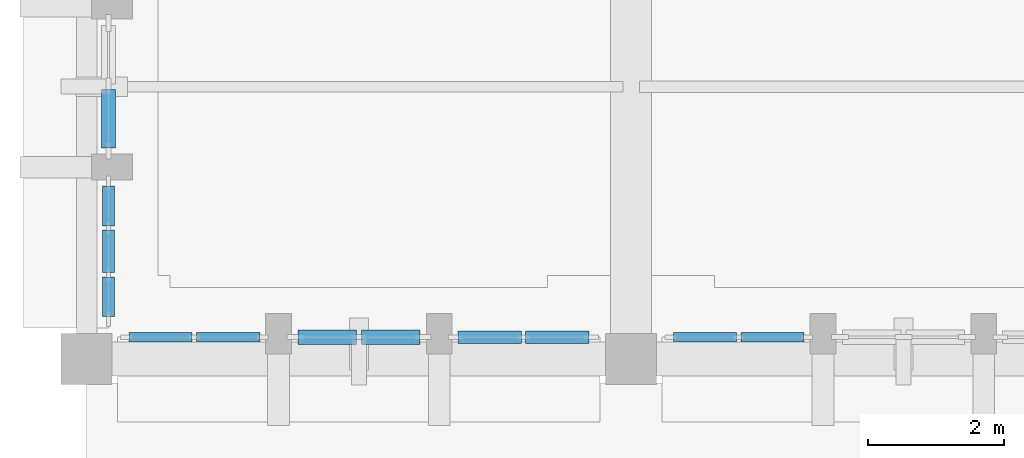
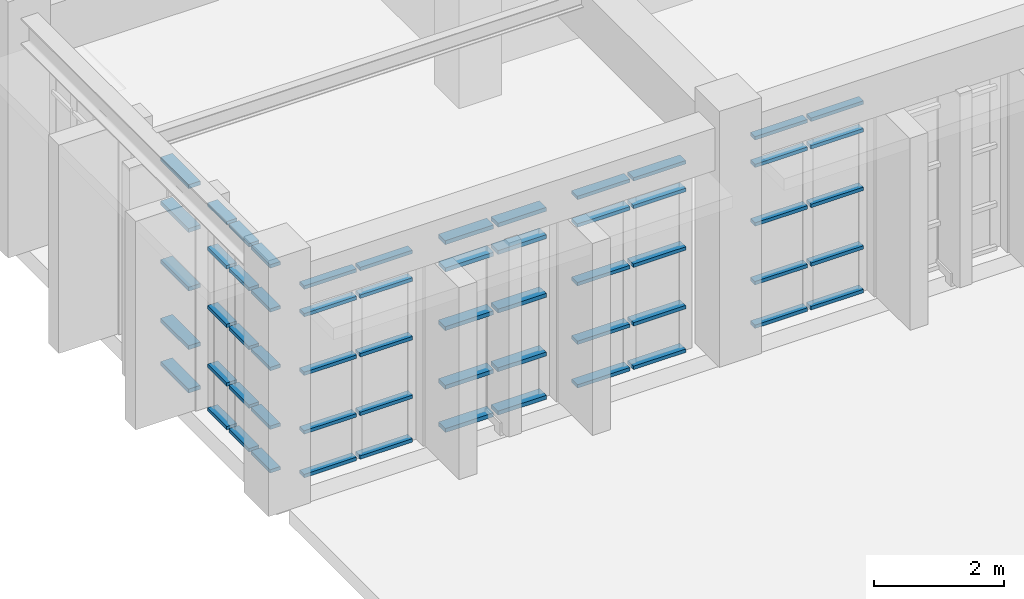
# One storey, part 46 of 155: 60 members, 6 elements without a shape of their own.
"""IFC4 building model written with IfcOpenShell, lengths in metres."""

from ifc_helpers import new_model, si_unit, direction, frame, origin, origin_2d, place, context, subcontext, project, spatial, rectangle, extrude, material, layer, layer_set, material_profile, profile_set, type_object, element, aggregate, save


model = new_model("IFC4")

# Units and contexts
model_context = context("Model", 3, precision=1e-05, world=origin(), true_north=direction((0.0, 1.0)))
body_context = subcontext(model_context, "Body", "Model", "MODEL_VIEW")
ifc_project = project(units=[si_unit("LENGTHUNIT", "METRE"), si_unit("AREAUNIT", "SQUARE_METRE"), si_unit("VOLUMEUNIT", "CUBIC_METRE"), si_unit("PLANEANGLEUNIT", "RADIAN"), si_unit("MASSUNIT", "GRAM", prefix="KILO")], contexts=[model_context])

# Site, building, storey
site_placement = place(None, origin())
site = spatial("IfcSite", under=ifc_project, at=site_placement, CompositionType="ELEMENT")
building_placement = place(site_placement, origin())
building = spatial("IfcBuilding", under=site, at=building_placement, Name="Tazarka Park Arena", CompositionType="ELEMENT")
storey_placement = place(building_placement, frame((0.0, 0.0, 5.39990234375)))
storey = spatial("IfcBuildingStorey", under=building, at=storey_placement, Name="L01", CompositionType="ELEMENT", Elevation=5.39990234375)

# Curtain wall, members
ifc_material_1 = material(Name="Aluminium and low-e glass", Category="aluminium")
ifc_layer_1 = layer(ifc_material_1, 0.179931640625, Name="Aluminium and low-e glass")
ifc_layer_set_1 = layer_set([ifc_layer_1], Name="Aluminium and low-e glass")
curtain_wall_type_1 = type_object("IfcCurtainWallType", Name="CW-12", PredefinedType="NOTDEFINED", material=ifc_layer_set_1)
curtain_wall_1_placement = place(storey_placement, origin())
curtain_wall_1 = element("IfcCurtainWall", 1, at=curtain_wall_1_placement, inside=storey, type_object=curtain_wall_type_1, Name="Curtain Wall CWA-L01-072", PredefinedType="NOTDEFINED")
ifc_material_2 = material(Name="Aluminium 6060-T66", Category="aluminium")
ifc_material_profile_1 = material_profile(ifc_material_2, rectangle(XDim=0.139892578125, YDim=0.06494140625, at=origin_2d()), Name="Aluminium 6060-T66")
ifc_profile_set_1 = profile_set([ifc_material_profile_1], Name="Aluminium 6060-T66")
member_type_1 = type_object("IfcMemberType", Name="CWT-01", PredefinedType="USERDEFINED", material=ifc_profile_set_1)
member_1_placement = place(storey_placement, frame((2.543212890625, 8.320068359375, 0.03271484375), z_axis=(-1.0, 0.0, 0.0), x_axis=(0.0, -1.0, 0.0)))
member_1 = element("IfcMember", 2, at=member_1_placement, type_object=member_type_1, Name="CW-12 transom 1.1", ObjectType="TRANSOM", PredefinedType="USERDEFINED", context=body_context, shape_type="SweptSolid", body=[
    extrude(rectangle(XDim=0.139892578125, YDim=0.06494140625, at=origin_2d()), origin(), (0.0, 0.0, 1.0), 0.928955078125),
])
member_2_placement = place(storey_placement, frame((2.543212890625, 8.320068359375, 0.85009765625), z_axis=(-1.0, 0.0, 0.0), x_axis=(0.0, -1.0, 0.0)))
member_2 = element("IfcMember", 3, at=member_2_placement, type_object=member_type_1, Name="CW-12 transom 1.2", ObjectType="TRANSOM", PredefinedType="USERDEFINED", context=body_context, shape_type="SweptSolid", body=[
    extrude(rectangle(XDim=0.139892578125, YDim=0.06494140625, at=origin_2d()), origin(), (0.0, 0.0, 1.0), 0.928955078125),
])
member_3_placement = place(storey_placement, frame((2.543212890625, 8.320068359375, 1.9501953125), z_axis=(-1.0, 0.0, 0.0), x_axis=(0.0, -1.0, 0.0)))
member_3 = element("IfcMember", 4, at=member_3_placement, type_object=member_type_1, Name="CW-12 transom 1.3", ObjectType="TRANSOM", PredefinedType="USERDEFINED", context=body_context, shape_type="SweptSolid", body=[
    extrude(rectangle(XDim=0.139892578125, YDim=0.06494140625, at=origin_2d()), origin(), (0.0, 0.0, 1.0), 0.928955078125),
])
member_4_placement = place(storey_placement, frame((2.543212890625, 8.320068359375, 3.050048828125), z_axis=(-1.0, 0.0, 0.0), x_axis=(0.0, -1.0, 0.0)))
member_4 = element("IfcMember", 5, at=member_4_placement, type_object=member_type_1, Name="CW-12 transom 1.4", ObjectType="TRANSOM", PredefinedType="USERDEFINED", context=body_context, shape_type="SweptSolid", body=[
    extrude(rectangle(XDim=0.139892578125, YDim=0.06494140625, at=origin_2d()), origin(), (0.0, 0.0, 1.0), 0.928955078125),
])
member_5_placement = place(storey_placement, frame((2.543212890625, 8.320068359375, 3.567626953125), z_axis=(-1.0, 0.0, 0.0), x_axis=(0.0, -1.0, 0.0)))
member_5 = element("IfcMember", 6, at=member_5_placement, type_object=member_type_1, Name="CW-12 transom 1.5", ObjectType="TRANSOM", PredefinedType="USERDEFINED", context=body_context, shape_type="SweptSolid", body=[
    extrude(rectangle(XDim=0.139892578125, YDim=0.06494140625, at=origin_2d()), origin(), (0.0, 0.0, 1.0), 0.928955078125),
])
member_6_placement = place(storey_placement, frame((1.549072265625, 8.320068359375, 0.03271484375), z_axis=(-1.0, 0.0, 0.0), x_axis=(0.0, -1.0, 0.0)))
member_6 = element("IfcMember", 7, at=member_6_placement, type_object=member_type_1, Name="CW-12 transom 2.1", ObjectType="TRANSOM", PredefinedType="USERDEFINED", context=body_context, shape_type="SweptSolid", body=[
    extrude(rectangle(XDim=0.139892578125, YDim=0.06494140625, at=origin_2d()), origin(), (0.0, 0.0, 1.0), 0.928955078125),
])
member_7_placement = place(storey_placement, frame((1.549072265625, 8.320068359375, 0.85009765625), z_axis=(-1.0, 0.0, 0.0), x_axis=(0.0, -1.0, 0.0)))
member_7 = element("IfcMember", 8, at=member_7_placement, type_object=member_type_1, Name="CW-12 transom 2.2", ObjectType="TRANSOM", PredefinedType="USERDEFINED", context=body_context, shape_type="SweptSolid", body=[
    extrude(rectangle(XDim=0.139892578125, YDim=0.06494140625, at=origin_2d()), origin(), (0.0, 0.0, 1.0), 0.928955078125),
])
member_8_placement = place(storey_placement, frame((1.549072265625, 8.320068359375, 1.9501953125), z_axis=(-1.0, 0.0, 0.0), x_axis=(0.0, -1.0, 0.0)))
member_8 = element("IfcMember", 9, at=member_8_placement, type_object=member_type_1, Name="CW-12 transom 2.3", ObjectType="TRANSOM", PredefinedType="USERDEFINED", context=body_context, shape_type="SweptSolid", body=[
    extrude(rectangle(XDim=0.139892578125, YDim=0.06494140625, at=origin_2d()), origin(), (0.0, 0.0, 1.0), 0.928955078125),
])
member_9_placement = place(storey_placement, frame((1.549072265625, 8.320068359375, 3.050048828125), z_axis=(-1.0, 0.0, 0.0), x_axis=(0.0, -1.0, 0.0)))
member_9 = element("IfcMember", 10, at=member_9_placement, type_object=member_type_1, Name="CW-12 transom 2.4", ObjectType="TRANSOM", PredefinedType="USERDEFINED", context=body_context, shape_type="SweptSolid", body=[
    extrude(rectangle(XDim=0.139892578125, YDim=0.06494140625, at=origin_2d()), origin(), (0.0, 0.0, 1.0), 0.928955078125),
])
member_10_placement = place(storey_placement, frame((1.549072265625, 8.320068359375, 3.567626953125), z_axis=(-1.0, 0.0, 0.0), x_axis=(0.0, -1.0, 0.0)))
member_10 = element("IfcMember", 11, at=member_10_placement, type_object=member_type_1, Name="CW-12 transom 2.5", ObjectType="TRANSOM", PredefinedType="USERDEFINED", context=body_context, shape_type="SweptSolid", body=[
    extrude(rectangle(XDim=0.139892578125, YDim=0.06494140625, at=origin_2d()), origin(), (0.0, 0.0, 1.0), 0.928955078125),
])
aggregate(curtain_wall_1, [member_1, member_2, member_3, member_4, member_5, member_6, member_7, member_8, member_9, member_10])

ifc_material_3 = material(Name="Aluminium and low-e glass", Category="aluminium")
ifc_layer_2 = layer(ifc_material_3, 0.179931640625, Name="Aluminium and low-e glass")
ifc_layer_set_2 = layer_set([ifc_layer_2], Name="Aluminium and low-e glass")
curtain_wall_type_2 = type_object("IfcCurtainWallType", Name="CW-15", PredefinedType="NOTDEFINED", material=ifc_layer_set_2)
curtain_wall_2_placement = place(storey_placement, origin())
curtain_wall_2 = element("IfcCurtainWall", 12, at=curtain_wall_2_placement, inside=storey, type_object=curtain_wall_type_2, Name="Curtain Wall CWA-L01-075", PredefinedType="NOTDEFINED")
member_11_placement = place(storey_placement, frame((10.543212890625, 8.320068359375, 0.03271484375), z_axis=(-1.0, 0.0, 0.0), x_axis=(0.0, -1.0, 0.0)))
member_11 = element("IfcMember", 13, at=member_11_placement, type_object=member_type_1, Name="CW-15 transom 1.1", ObjectType="TRANSOM", PredefinedType="USERDEFINED", context=body_context, shape_type="SweptSolid", body=[
    extrude(rectangle(XDim=0.139892578125, YDim=0.06494140625, at=origin_2d()), origin(), (0.0, 0.0, 1.0), 0.928955078125),
])
member_12_placement = place(storey_placement, frame((10.543212890625, 8.320068359375, 0.85009765625), z_axis=(-1.0, 0.0, 0.0), x_axis=(0.0, -1.0, 0.0)))
member_12 = element("IfcMember", 14, at=member_12_placement, type_object=member_type_1, Name="CW-15 transom 1.2", ObjectType="TRANSOM", PredefinedType="USERDEFINED", context=body_context, shape_type="SweptSolid", body=[
    extrude(rectangle(XDim=0.139892578125, YDim=0.06494140625, at=origin_2d()), origin(), (0.0, 0.0, 1.0), 0.928955078125),
])
member_13_placement = place(storey_placement, frame((10.543212890625, 8.320068359375, 1.9501953125), z_axis=(-1.0, 0.0, 0.0), x_axis=(0.0, -1.0, 0.0)))
member_13 = element("IfcMember", 15, at=member_13_placement, type_object=member_type_1, Name="CW-15 transom 1.3", ObjectType="TRANSOM", PredefinedType="USERDEFINED", context=body_context, shape_type="SweptSolid", body=[
    extrude(rectangle(XDim=0.139892578125, YDim=0.06494140625, at=origin_2d()), origin(), (0.0, 0.0, 1.0), 0.928955078125),
])
member_14_placement = place(storey_placement, frame((10.543212890625, 8.320068359375, 3.050048828125), z_axis=(-1.0, 0.0, 0.0), x_axis=(0.0, -1.0, 0.0)))
member_14 = element("IfcMember", 16, at=member_14_placement, type_object=member_type_1, Name="CW-15 transom 1.4", ObjectType="TRANSOM", PredefinedType="USERDEFINED", context=body_context, shape_type="SweptSolid", body=[
    extrude(rectangle(XDim=0.139892578125, YDim=0.06494140625, at=origin_2d()), origin(), (0.0, 0.0, 1.0), 0.928955078125),
])
member_15_placement = place(storey_placement, frame((10.543212890625, 8.320068359375, 3.567626953125), z_axis=(-1.0, 0.0, 0.0), x_axis=(0.0, -1.0, 0.0)))
member_15 = element("IfcMember", 17, at=member_15_placement, type_object=member_type_1, Name="CW-15 transom 1.5", ObjectType="TRANSOM", PredefinedType="USERDEFINED", context=body_context, shape_type="SweptSolid", body=[
    extrude(rectangle(XDim=0.139892578125, YDim=0.06494140625, at=origin_2d()), origin(), (0.0, 0.0, 1.0), 0.928955078125),
])
member_16_placement = place(storey_placement, frame((9.549072265625, 8.320068359375, 0.03271484375), z_axis=(-1.0, 0.0, 0.0), x_axis=(0.0, -1.0, 0.0)))
member_16 = element("IfcMember", 18, at=member_16_placement, type_object=member_type_1, Name="CW-15 transom 2.1", ObjectType="TRANSOM", PredefinedType="USERDEFINED", context=body_context, shape_type="SweptSolid", body=[
    extrude(rectangle(XDim=0.139892578125, YDim=0.06494140625, at=origin_2d()), origin(), (0.0, 0.0, 1.0), 0.928955078125),
])
member_17_placement = place(storey_placement, frame((9.549072265625, 8.320068359375, 0.85009765625), z_axis=(-1.0, 0.0, 0.0), x_axis=(0.0, -1.0, 0.0)))
member_17 = element("IfcMember", 19, at=member_17_placement, type_object=member_type_1, Name="CW-15 transom 2.2", ObjectType="TRANSOM", PredefinedType="USERDEFINED", context=body_context, shape_type="SweptSolid", body=[
    extrude(rectangle(XDim=0.139892578125, YDim=0.06494140625, at=origin_2d()), origin(), (0.0, 0.0, 1.0), 0.928955078125),
])
member_18_placement = place(storey_placement, frame((9.549072265625, 8.320068359375, 1.9501953125), z_axis=(-1.0, 0.0, 0.0), x_axis=(0.0, -1.0, 0.0)))
member_18 = element("IfcMember", 20, at=member_18_placement, type_object=member_type_1, Name="CW-15 transom 2.3", ObjectType="TRANSOM", PredefinedType="USERDEFINED", context=body_context, shape_type="SweptSolid", body=[
    extrude(rectangle(XDim=0.139892578125, YDim=0.06494140625, at=origin_2d()), origin(), (0.0, 0.0, 1.0), 0.928955078125),
])
member_19_placement = place(storey_placement, frame((9.549072265625, 8.320068359375, 3.050048828125), z_axis=(-1.0, 0.0, 0.0), x_axis=(0.0, -1.0, 0.0)))
member_19 = element("IfcMember", 21, at=member_19_placement, type_object=member_type_1, Name="CW-15 transom 2.4", ObjectType="TRANSOM", PredefinedType="USERDEFINED", context=body_context, shape_type="SweptSolid", body=[
    extrude(rectangle(XDim=0.139892578125, YDim=0.06494140625, at=origin_2d()), origin(), (0.0, 0.0, 1.0), 0.928955078125),
])
member_20_placement = place(storey_placement, frame((9.549072265625, 8.320068359375, 3.567626953125), z_axis=(-1.0, 0.0, 0.0), x_axis=(0.0, -1.0, 0.0)))
member_20 = element("IfcMember", 22, at=member_20_placement, type_object=member_type_1, Name="CW-15 transom 2.5", ObjectType="TRANSOM", PredefinedType="USERDEFINED", context=body_context, shape_type="SweptSolid", body=[
    extrude(rectangle(XDim=0.139892578125, YDim=0.06494140625, at=origin_2d()), origin(), (0.0, 0.0, 1.0), 0.928955078125),
])
aggregate(curtain_wall_2, [member_11, member_12, member_13, member_14, member_15, member_16, member_17, member_18, member_19, member_20])

ifc_material_4 = material(Name="Aluminium and low-e glass", Category="aluminium")
ifc_layer_3 = layer(ifc_material_4, 0.179931640625, Name="Aluminium and low-e glass")
ifc_layer_set_3 = layer_set([ifc_layer_3], Name="Aluminium and low-e glass")
curtain_wall_type_3 = type_object("IfcCurtainWallType", Name="CW-07", PredefinedType="NOTDEFINED", material=ifc_layer_set_3)
curtain_wall_3_placement = place(storey_placement, origin())
curtain_wall_3 = element("IfcCurtainWall", 23, at=curtain_wall_3_placement, inside=storey, type_object=curtain_wall_type_3, Name="Curtain Wall CWA-L01-067", PredefinedType="NOTDEFINED")
ifc_material_5 = material(Name="Aluminium 6060-T66", Category="aluminium")
ifc_material_profile_2 = material_profile(ifc_material_5, rectangle(XDim=0.179931640625, YDim=0.06494140625, at=origin_2d()), Name="Aluminium 6060-T66")
ifc_profile_set_2 = profile_set([ifc_material_profile_2], Name="Aluminium 6060-T66")
member_type_2 = type_object("IfcMemberType", Name="CWT-02", PredefinedType="USERDEFINED", material=ifc_profile_set_2)
member_21_placement = place(storey_placement, frame((0.320068359375, 8.6201171875, 0.03271484375), z_axis=(0.0, 1.0, 0.0), x_axis=(-1.0, 0.0, 0.0)))
member_21 = element("IfcMember", 24, at=member_21_placement, type_object=member_type_2, Name="CW-07 transom 1.1", ObjectType="TRANSOM", PredefinedType="USERDEFINED", context=body_context, shape_type="SweptSolid", body=[
    extrude(rectangle(XDim=0.179931640625, YDim=0.06494140625, at=origin_2d()), origin(), (0.0, 0.0, 1.0), 0.5869140625),
])
member_22_placement = place(storey_placement, frame((0.320068359375, 8.6201171875, 0.85009765625), z_axis=(0.0, 1.0, 0.0), x_axis=(-1.0, 0.0, 0.0)))
member_22 = element("IfcMember", 25, at=member_22_placement, type_object=member_type_2, Name="CW-07 transom 1.2", ObjectType="TRANSOM", PredefinedType="USERDEFINED", context=body_context, shape_type="SweptSolid", body=[
    extrude(rectangle(XDim=0.179931640625, YDim=0.06494140625, at=origin_2d()), origin(), (0.0, 0.0, 1.0), 0.5869140625),
])
member_23_placement = place(storey_placement, frame((0.320068359375, 8.6201171875, 1.9501953125), z_axis=(0.0, 1.0, 0.0), x_axis=(-1.0, 0.0, 0.0)))
member_23 = element("IfcMember", 26, at=member_23_placement, type_object=member_type_2, Name="CW-07 transom 1.3", ObjectType="TRANSOM", PredefinedType="USERDEFINED", context=body_context, shape_type="SweptSolid", body=[
    extrude(rectangle(XDim=0.179931640625, YDim=0.06494140625, at=origin_2d()), origin(), (0.0, 0.0, 1.0), 0.5869140625),
])
member_24_placement = place(storey_placement, frame((0.320068359375, 8.6201171875, 3.050048828125), z_axis=(0.0, 1.0, 0.0), x_axis=(-1.0, 0.0, 0.0)))
member_24 = element("IfcMember", 27, at=member_24_placement, type_object=member_type_2, Name="CW-07 transom 1.4", ObjectType="TRANSOM", PredefinedType="USERDEFINED", context=body_context, shape_type="SweptSolid", body=[
    extrude(rectangle(XDim=0.179931640625, YDim=0.06494140625, at=origin_2d()), origin(), (0.0, 0.0, 1.0), 0.5869140625),
])
member_25_placement = place(storey_placement, frame((0.320068359375, 8.6201171875, 3.877685546875), z_axis=(0.0, 1.0, 0.0), x_axis=(-1.0, 0.0, 0.0)))
member_25 = element("IfcMember", 28, at=member_25_placement, type_object=member_type_2, Name="CW-07 transom 1.5", ObjectType="TRANSOM", PredefinedType="USERDEFINED", context=body_context, shape_type="SweptSolid", body=[
    extrude(rectangle(XDim=0.179931640625, YDim=0.06494140625, at=origin_2d()), origin(), (0.0, 0.0, 1.0), 0.5869140625),
])
member_26_placement = place(storey_placement, frame((0.320068359375, 9.27197265625, 0.03271484375), z_axis=(0.0, 1.0, 0.0), x_axis=(-1.0, 0.0, 0.0)))
member_26 = element("IfcMember", 29, at=member_26_placement, type_object=member_type_2, Name="CW-07 transom 2.1", ObjectType="TRANSOM", PredefinedType="USERDEFINED", context=body_context, shape_type="SweptSolid", body=[
    extrude(rectangle(XDim=0.179931640625, YDim=0.06494140625, at=origin_2d()), origin(), (0.0, 0.0, 1.0), 0.619384765625),
])
member_27_placement = place(storey_placement, frame((0.320068359375, 9.27197265625, 0.85009765625), z_axis=(0.0, 1.0, 0.0), x_axis=(-1.0, 0.0, 0.0)))
member_27 = element("IfcMember", 30, at=member_27_placement, type_object=member_type_2, Name="CW-07 transom 2.2", ObjectType="TRANSOM", PredefinedType="USERDEFINED", context=body_context, shape_type="SweptSolid", body=[
    extrude(rectangle(XDim=0.179931640625, YDim=0.06494140625, at=origin_2d()), origin(), (0.0, 0.0, 1.0), 0.619384765625),
])
member_28_placement = place(storey_placement, frame((0.320068359375, 9.27197265625, 1.9501953125), z_axis=(0.0, 1.0, 0.0), x_axis=(-1.0, 0.0, 0.0)))
member_28 = element("IfcMember", 31, at=member_28_placement, type_object=member_type_2, Name="CW-07 transom 2.3", ObjectType="TRANSOM", PredefinedType="USERDEFINED", context=body_context, shape_type="SweptSolid", body=[
    extrude(rectangle(XDim=0.179931640625, YDim=0.06494140625, at=origin_2d()), origin(), (0.0, 0.0, 1.0), 0.619384765625),
])
member_29_placement = place(storey_placement, frame((0.320068359375, 9.27197265625, 3.050048828125), z_axis=(0.0, 1.0, 0.0), x_axis=(-1.0, 0.0, 0.0)))
member_29 = element("IfcMember", 32, at=member_29_placement, type_object=member_type_2, Name="CW-07 transom 2.4", ObjectType="TRANSOM", PredefinedType="USERDEFINED", context=body_context, shape_type="SweptSolid", body=[
    extrude(rectangle(XDim=0.179931640625, YDim=0.06494140625, at=origin_2d()), origin(), (0.0, 0.0, 1.0), 0.619384765625),
])
member_30_placement = place(storey_placement, frame((0.320068359375, 9.27197265625, 3.877685546875), z_axis=(0.0, 1.0, 0.0), x_axis=(-1.0, 0.0, 0.0)))
member_30 = element("IfcMember", 33, at=member_30_placement, type_object=member_type_2, Name="CW-07 transom 2.5", ObjectType="TRANSOM", PredefinedType="USERDEFINED", context=body_context, shape_type="SweptSolid", body=[
    extrude(rectangle(XDim=0.179931640625, YDim=0.06494140625, at=origin_2d()), origin(), (0.0, 0.0, 1.0), 0.619384765625),
])
member_31_placement = place(storey_placement, frame((0.320068359375, 9.956298828125, 0.03271484375), z_axis=(0.0, 1.0, 0.0), x_axis=(-1.0, 0.0, 0.0)))
member_31 = element("IfcMember", 34, at=member_31_placement, type_object=member_type_2, Name="CW-07 transom 3.1", ObjectType="TRANSOM", PredefinedType="USERDEFINED", context=body_context, shape_type="SweptSolid", body=[
    extrude(rectangle(XDim=0.179931640625, YDim=0.06494140625, at=origin_2d()), origin(), (0.0, 0.0, 1.0), 0.5869140625),
])
member_32_placement = place(storey_placement, frame((0.320068359375, 9.956298828125, 0.85009765625), z_axis=(0.0, 1.0, 0.0), x_axis=(-1.0, 0.0, 0.0)))
member_32 = element("IfcMember", 35, at=member_32_placement, type_object=member_type_2, Name="CW-07 transom 3.2", ObjectType="TRANSOM", PredefinedType="USERDEFINED", context=body_context, shape_type="SweptSolid", body=[
    extrude(rectangle(XDim=0.179931640625, YDim=0.06494140625, at=origin_2d()), origin(), (0.0, 0.0, 1.0), 0.5869140625),
])
member_33_placement = place(storey_placement, frame((0.320068359375, 9.956298828125, 1.9501953125), z_axis=(0.0, 1.0, 0.0), x_axis=(-1.0, 0.0, 0.0)))
member_33 = element("IfcMember", 36, at=member_33_placement, type_object=member_type_2, Name="CW-07 transom 3.3", ObjectType="TRANSOM", PredefinedType="USERDEFINED", context=body_context, shape_type="SweptSolid", body=[
    extrude(rectangle(XDim=0.179931640625, YDim=0.06494140625, at=origin_2d()), origin(), (0.0, 0.0, 1.0), 0.5869140625),
])
member_34_placement = place(storey_placement, frame((0.320068359375, 9.956298828125, 3.050048828125), z_axis=(0.0, 1.0, 0.0), x_axis=(-1.0, 0.0, 0.0)))
member_34 = element("IfcMember", 37, at=member_34_placement, type_object=member_type_2, Name="CW-07 transom 3.4", ObjectType="TRANSOM", PredefinedType="USERDEFINED", context=body_context, shape_type="SweptSolid", body=[
    extrude(rectangle(XDim=0.179931640625, YDim=0.06494140625, at=origin_2d()), origin(), (0.0, 0.0, 1.0), 0.5869140625),
])
member_35_placement = place(storey_placement, frame((0.320068359375, 9.956298828125, 3.877685546875), z_axis=(0.0, 1.0, 0.0), x_axis=(-1.0, 0.0, 0.0)))
member_35 = element("IfcMember", 38, at=member_35_placement, type_object=member_type_2, Name="CW-07 transom 3.5", ObjectType="TRANSOM", PredefinedType="USERDEFINED", context=body_context, shape_type="SweptSolid", body=[
    extrude(rectangle(XDim=0.179931640625, YDim=0.06494140625, at=origin_2d()), origin(), (0.0, 0.0, 1.0), 0.5869140625),
])
aggregate(curtain_wall_3, [member_21, member_22, member_23, member_24, member_25, member_26, member_27, member_28, member_29, member_30, member_31, member_32, member_33, member_34, member_35])

ifc_material_6 = material(Name="Aluminium and low-e glass", Category="aluminium")
ifc_layer_4 = layer(ifc_material_6, 0.179931640625, Name="Aluminium and low-e glass")
ifc_layer_set_4 = layer_set([ifc_layer_4], Name="Aluminium and low-e glass")
curtain_wall_type_4 = type_object("IfcCurtainWallType", Name="CW-10", PredefinedType="NOTDEFINED", material=ifc_layer_set_4)
curtain_wall_4_placement = place(storey_placement, origin())
curtain_wall_4 = element("IfcCurtainWall", 39, at=curtain_wall_4_placement, inside=storey, type_object=curtain_wall_type_4, Name="Curtain Wall CWA-L01-070", PredefinedType="NOTDEFINED")
member_36_placement = place(storey_placement, frame((7.3798828125, 8.320068359375, 0.03271484375), z_axis=(-1.0, 0.0, 0.0), x_axis=(0.0, -1.0, 0.0)))
member_36 = element("IfcMember", 40, at=member_36_placement, type_object=member_type_2, Name="CW-10 transom 1.1", ObjectType="TRANSOM", PredefinedType="USERDEFINED", context=body_context, shape_type="SweptSolid", body=[
    extrude(rectangle(XDim=0.179931640625, YDim=0.06494140625, at=origin_2d()), origin(), (0.0, 0.0, 1.0), 0.928955078125),
])
member_37_placement = place(storey_placement, frame((7.3798828125, 8.320068359375, 0.85009765625), z_axis=(-1.0, 0.0, 0.0), x_axis=(0.0, -1.0, 0.0)))
member_37 = element("IfcMember", 41, at=member_37_placement, type_object=member_type_2, Name="CW-10 transom 1.2", ObjectType="TRANSOM", PredefinedType="USERDEFINED", context=body_context, shape_type="SweptSolid", body=[
    extrude(rectangle(XDim=0.179931640625, YDim=0.06494140625, at=origin_2d()), origin(), (0.0, 0.0, 1.0), 0.928955078125),
])
member_38_placement = place(storey_placement, frame((7.3798828125, 8.320068359375, 1.9501953125), z_axis=(-1.0, 0.0, 0.0), x_axis=(0.0, -1.0, 0.0)))
member_38 = element("IfcMember", 42, at=member_38_placement, type_object=member_type_2, Name="CW-10 transom 1.3", ObjectType="TRANSOM", PredefinedType="USERDEFINED", context=body_context, shape_type="SweptSolid", body=[
    extrude(rectangle(XDim=0.179931640625, YDim=0.06494140625, at=origin_2d()), origin(), (0.0, 0.0, 1.0), 0.928955078125),
])
member_39_placement = place(storey_placement, frame((7.3798828125, 8.320068359375, 3.050048828125), z_axis=(-1.0, 0.0, 0.0), x_axis=(0.0, -1.0, 0.0)))
member_39 = element("IfcMember", 43, at=member_39_placement, type_object=member_type_2, Name="CW-10 transom 1.4", ObjectType="TRANSOM", PredefinedType="USERDEFINED", context=body_context, shape_type="SweptSolid", body=[
    extrude(rectangle(XDim=0.179931640625, YDim=0.06494140625, at=origin_2d()), origin(), (0.0, 0.0, 1.0), 0.928955078125),
])
member_40_placement = place(storey_placement, frame((7.3798828125, 8.320068359375, 3.567626953125), z_axis=(-1.0, 0.0, 0.0), x_axis=(0.0, -1.0, 0.0)))
member_40 = element("IfcMember", 44, at=member_40_placement, type_object=member_type_2, Name="CW-10 transom 1.5", ObjectType="TRANSOM", PredefinedType="USERDEFINED", context=body_context, shape_type="SweptSolid", body=[
    extrude(rectangle(XDim=0.179931640625, YDim=0.06494140625, at=origin_2d()), origin(), (0.0, 0.0, 1.0), 0.928955078125),
])
member_41_placement = place(storey_placement, frame((6.3857421875, 8.320068359375, 0.03271484375), z_axis=(-1.0, 0.0, 0.0), x_axis=(0.0, -1.0, 0.0)))
member_41 = element("IfcMember", 45, at=member_41_placement, type_object=member_type_2, Name="CW-10 transom 2.1", ObjectType="TRANSOM", PredefinedType="USERDEFINED", context=body_context, shape_type="SweptSolid", body=[
    extrude(rectangle(XDim=0.179931640625, YDim=0.06494140625, at=origin_2d()), origin(), (0.0, 0.0, 1.0), 0.928955078125),
])
member_42_placement = place(storey_placement, frame((6.3857421875, 8.320068359375, 0.85009765625), z_axis=(-1.0, 0.0, 0.0), x_axis=(0.0, -1.0, 0.0)))
member_42 = element("IfcMember", 46, at=member_42_placement, type_object=member_type_2, Name="CW-10 transom 2.2", ObjectType="TRANSOM", PredefinedType="USERDEFINED", context=body_context, shape_type="SweptSolid", body=[
    extrude(rectangle(XDim=0.179931640625, YDim=0.06494140625, at=origin_2d()), origin(), (0.0, 0.0, 1.0), 0.928955078125),
])
member_43_placement = place(storey_placement, frame((6.3857421875, 8.320068359375, 1.9501953125), z_axis=(-1.0, 0.0, 0.0), x_axis=(0.0, -1.0, 0.0)))
member_43 = element("IfcMember", 47, at=member_43_placement, type_object=member_type_2, Name="CW-10 transom 2.3", ObjectType="TRANSOM", PredefinedType="USERDEFINED", context=body_context, shape_type="SweptSolid", body=[
    extrude(rectangle(XDim=0.179931640625, YDim=0.06494140625, at=origin_2d()), origin(), (0.0, 0.0, 1.0), 0.928955078125),
])
member_44_placement = place(storey_placement, frame((6.3857421875, 8.320068359375, 3.050048828125), z_axis=(-1.0, 0.0, 0.0), x_axis=(0.0, -1.0, 0.0)))
member_44 = element("IfcMember", 48, at=member_44_placement, type_object=member_type_2, Name="CW-10 transom 2.4", ObjectType="TRANSOM", PredefinedType="USERDEFINED", context=body_context, shape_type="SweptSolid", body=[
    extrude(rectangle(XDim=0.179931640625, YDim=0.06494140625, at=origin_2d()), origin(), (0.0, 0.0, 1.0), 0.928955078125),
])
member_45_placement = place(storey_placement, frame((6.3857421875, 8.320068359375, 3.567626953125), z_axis=(-1.0, 0.0, 0.0), x_axis=(0.0, -1.0, 0.0)))
member_45 = element("IfcMember", 49, at=member_45_placement, type_object=member_type_2, Name="CW-10 transom 2.5", ObjectType="TRANSOM", PredefinedType="USERDEFINED", context=body_context, shape_type="SweptSolid", body=[
    extrude(rectangle(XDim=0.179931640625, YDim=0.06494140625, at=origin_2d()), origin(), (0.0, 0.0, 1.0), 0.928955078125),
])
aggregate(curtain_wall_4, [member_36, member_37, member_38, member_39, member_40, member_41, member_42, member_43, member_44, member_45])

ifc_material_7 = material(Name="Aluminium and low-e glass", Category="aluminium")
ifc_layer_5 = layer(ifc_material_7, 0.179931640625, Name="Aluminium and low-e glass")
ifc_layer_set_5 = layer_set([ifc_layer_5], Name="Aluminium and low-e glass")
curtain_wall_type_5 = type_object("IfcCurtainWallType", Name="CW-08", PredefinedType="NOTDEFINED", material=ifc_layer_set_5)
curtain_wall_5_placement = place(storey_placement, origin())
curtain_wall_5 = element("IfcCurtainWall", 50, at=curtain_wall_5_placement, inside=storey, type_object=curtain_wall_type_5, Name="Curtain Wall CWA-L01-068", PredefinedType="NOTDEFINED")
ifc_material_8 = material(Name="Aluminium 6060-T66", Category="aluminium")
ifc_material_profile_3 = material_profile(ifc_material_8, rectangle(XDim=0.2099609375, YDim=0.074951171875, at=origin_2d()), Name="Aluminium 6060-T66")
ifc_profile_set_3 = profile_set([ifc_material_profile_3], Name="Aluminium 6060-T66")
member_type_3 = type_object("IfcMemberType", Name="CWT-03", PredefinedType="USERDEFINED", material=ifc_profile_set_3)
member_46_placement = place(storey_placement, frame((0.320068359375, 11.103271484375, 0.03759765625), z_axis=(0.0, 1.0, 0.0), x_axis=(-1.0, 0.0, 0.0)))
member_46 = element("IfcMember", 51, at=member_46_placement, type_object=member_type_3, Name="CW-08 transom 1.1", ObjectType="TRANSOM", PredefinedType="USERDEFINED", context=body_context, shape_type="SweptSolid", body=[
    extrude(rectangle(XDim=0.2099609375, YDim=0.074951171875, at=origin_2d()), origin(), (0.0, 0.0, 1.0), 0.859130859375),
])
member_47_placement = place(storey_placement, frame((0.320068359375, 11.103271484375, 0.85009765625), z_axis=(0.0, 1.0, 0.0), x_axis=(-1.0, 0.0, 0.0)))
member_47 = element("IfcMember", 52, at=member_47_placement, type_object=member_type_3, Name="CW-08 transom 1.2", ObjectType="TRANSOM", PredefinedType="USERDEFINED", context=body_context, shape_type="SweptSolid", body=[
    extrude(rectangle(XDim=0.2099609375, YDim=0.074951171875, at=origin_2d()), origin(), (0.0, 0.0, 1.0), 0.859130859375),
])
member_48_placement = place(storey_placement, frame((0.320068359375, 11.103271484375, 1.9501953125), z_axis=(0.0, 1.0, 0.0), x_axis=(-1.0, 0.0, 0.0)))
member_48 = element("IfcMember", 53, at=member_48_placement, type_object=member_type_3, Name="CW-08 transom 1.3", ObjectType="TRANSOM", PredefinedType="USERDEFINED", context=body_context, shape_type="SweptSolid", body=[
    extrude(rectangle(XDim=0.2099609375, YDim=0.074951171875, at=origin_2d()), origin(), (0.0, 0.0, 1.0), 0.859130859375),
])
member_49_placement = place(storey_placement, frame((0.320068359375, 11.103271484375, 3.050048828125), z_axis=(0.0, 1.0, 0.0), x_axis=(-1.0, 0.0, 0.0)))
member_49 = element("IfcMember", 54, at=member_49_placement, type_object=member_type_3, Name="CW-08 transom 1.4", ObjectType="TRANSOM", PredefinedType="USERDEFINED", context=body_context, shape_type="SweptSolid", body=[
    extrude(rectangle(XDim=0.2099609375, YDim=0.074951171875, at=origin_2d()), origin(), (0.0, 0.0, 1.0), 0.859130859375),
])
member_50_placement = place(storey_placement, frame((0.320068359375, 11.103271484375, 3.87255859375), z_axis=(0.0, 1.0, 0.0), x_axis=(-1.0, 0.0, 0.0)))
member_50 = element("IfcMember", 55, at=member_50_placement, type_object=member_type_3, Name="CW-08 transom 1.5", ObjectType="TRANSOM", PredefinedType="USERDEFINED", context=body_context, shape_type="SweptSolid", body=[
    extrude(rectangle(XDim=0.2099609375, YDim=0.074951171875, at=origin_2d()), origin(), (0.0, 0.0, 1.0), 0.859130859375),
])
aggregate(curtain_wall_5, [member_46, member_47, member_48, member_49, member_50])

ifc_material_9 = material(Name="Aluminium and low-e glass", Category="aluminium")
ifc_layer_6 = layer(ifc_material_9, 0.179931640625, Name="Aluminium and low-e glass")
ifc_layer_set_6 = layer_set([ifc_layer_6], Name="Aluminium and low-e glass")
curtain_wall_type_6 = type_object("IfcCurtainWallType", Name="CW-11", PredefinedType="NOTDEFINED", material=ifc_layer_set_6)
curtain_wall_6_placement = place(storey_placement, origin())
curtain_wall_6 = element("IfcCurtainWall", 56, at=curtain_wall_6_placement, inside=storey, type_object=curtain_wall_type_6, Name="Curtain Wall CWA-L01-071", PredefinedType="NOTDEFINED")
member_51_placement = place(storey_placement, frame((4.896728515625, 8.320068359375, 0.03759765625), z_axis=(-1.0, 0.0, 0.0), x_axis=(0.0, -1.0, 0.0)))
member_51 = element("IfcMember", 57, at=member_51_placement, type_object=member_type_3, Name="CW-11 transom 1.1", ObjectType="TRANSOM", PredefinedType="USERDEFINED", context=body_context, shape_type="SweptSolid", body=[
    extrude(rectangle(XDim=0.2099609375, YDim=0.074951171875, at=origin_2d()), origin(), (0.0, 0.0, 1.0), 0.859130859375),
])
member_52_placement = place(storey_placement, frame((4.896728515625, 8.320068359375, 0.85009765625), z_axis=(-1.0, 0.0, 0.0), x_axis=(0.0, -1.0, 0.0)))
member_52 = element("IfcMember", 58, at=member_52_placement, type_object=member_type_3, Name="CW-11 transom 1.2", ObjectType="TRANSOM", PredefinedType="USERDEFINED", context=body_context, shape_type="SweptSolid", body=[
    extrude(rectangle(XDim=0.2099609375, YDim=0.074951171875, at=origin_2d()), origin(), (0.0, 0.0, 1.0), 0.859130859375),
])
member_53_placement = place(storey_placement, frame((4.896728515625, 8.320068359375, 1.9501953125), z_axis=(-1.0, 0.0, 0.0), x_axis=(0.0, -1.0, 0.0)))
member_53 = element("IfcMember", 59, at=member_53_placement, type_object=member_type_3, Name="CW-11 transom 1.3", ObjectType="TRANSOM", PredefinedType="USERDEFINED", context=body_context, shape_type="SweptSolid", body=[
    extrude(rectangle(XDim=0.2099609375, YDim=0.074951171875, at=origin_2d()), origin(), (0.0, 0.0, 1.0), 0.859130859375),
])
member_54_placement = place(storey_placement, frame((4.896728515625, 8.320068359375, 3.050048828125), z_axis=(-1.0, 0.0, 0.0), x_axis=(0.0, -1.0, 0.0)))
member_54 = element("IfcMember", 60, at=member_54_placement, type_object=member_type_3, Name="CW-11 transom 1.4", ObjectType="TRANSOM", PredefinedType="USERDEFINED", context=body_context, shape_type="SweptSolid", body=[
    extrude(rectangle(XDim=0.2099609375, YDim=0.074951171875, at=origin_2d()), origin(), (0.0, 0.0, 1.0), 0.859130859375),
])
member_55_placement = place(storey_placement, frame((4.896728515625, 8.320068359375, 3.5625), z_axis=(-1.0, 0.0, 0.0), x_axis=(0.0, -1.0, 0.0)))
member_55 = element("IfcMember", 61, at=member_55_placement, type_object=member_type_3, Name="CW-11 transom 1.5", ObjectType="TRANSOM", PredefinedType="USERDEFINED", context=body_context, shape_type="SweptSolid", body=[
    extrude(rectangle(XDim=0.2099609375, YDim=0.074951171875, at=origin_2d()), origin(), (0.0, 0.0, 1.0), 0.859130859375),
])
member_56_placement = place(storey_placement, frame((3.96240234375, 8.320068359375, 0.03759765625), z_axis=(-1.0, 0.0, 0.0), x_axis=(0.0, -1.0, 0.0)))
member_56 = element("IfcMember", 62, at=member_56_placement, type_object=member_type_3, Name="CW-11 transom 2.1", ObjectType="TRANSOM", PredefinedType="USERDEFINED", context=body_context, shape_type="SweptSolid", body=[
    extrude(rectangle(XDim=0.2099609375, YDim=0.074951171875, at=origin_2d()), origin(), (0.0, 0.0, 1.0), 0.859130859375),
])
member_57_placement = place(storey_placement, frame((3.96240234375, 8.320068359375, 0.85009765625), z_axis=(-1.0, 0.0, 0.0), x_axis=(0.0, -1.0, 0.0)))
member_57 = element("IfcMember", 63, at=member_57_placement, type_object=member_type_3, Name="CW-11 transom 2.2", ObjectType="TRANSOM", PredefinedType="USERDEFINED", context=body_context, shape_type="SweptSolid", body=[
    extrude(rectangle(XDim=0.2099609375, YDim=0.074951171875, at=origin_2d()), origin(), (0.0, 0.0, 1.0), 0.859130859375),
])
member_58_placement = place(storey_placement, frame((3.96240234375, 8.320068359375, 1.9501953125), z_axis=(-1.0, 0.0, 0.0), x_axis=(0.0, -1.0, 0.0)))
member_58 = element("IfcMember", 64, at=member_58_placement, type_object=member_type_3, Name="CW-11 transom 2.3", ObjectType="TRANSOM", PredefinedType="USERDEFINED", context=body_context, shape_type="SweptSolid", body=[
    extrude(rectangle(XDim=0.2099609375, YDim=0.074951171875, at=origin_2d()), origin(), (0.0, 0.0, 1.0), 0.859130859375),
])
member_59_placement = place(storey_placement, frame((3.96240234375, 8.320068359375, 3.050048828125), z_axis=(-1.0, 0.0, 0.0), x_axis=(0.0, -1.0, 0.0)))
member_59 = element("IfcMember", 65, at=member_59_placement, type_object=member_type_3, Name="CW-11 transom 2.4", ObjectType="TRANSOM", PredefinedType="USERDEFINED", context=body_context, shape_type="SweptSolid", body=[
    extrude(rectangle(XDim=0.2099609375, YDim=0.074951171875, at=origin_2d()), origin(), (0.0, 0.0, 1.0), 0.859130859375),
])
member_60_placement = place(storey_placement, frame((3.96240234375, 8.320068359375, 3.5625), z_axis=(-1.0, 0.0, 0.0), x_axis=(0.0, -1.0, 0.0)))
member_60 = element("IfcMember", 66, at=member_60_placement, type_object=member_type_3, Name="CW-11 transom 2.5", ObjectType="TRANSOM", PredefinedType="USERDEFINED", context=body_context, shape_type="SweptSolid", body=[
    extrude(rectangle(XDim=0.2099609375, YDim=0.074951171875, at=origin_2d()), origin(), (0.0, 0.0, 1.0), 0.859130859375),
])
aggregate(curtain_wall_6, [member_51, member_52, member_53, member_54, member_55, member_56, member_57, member_58, member_59, member_60])

save(model, "model.ifc")
